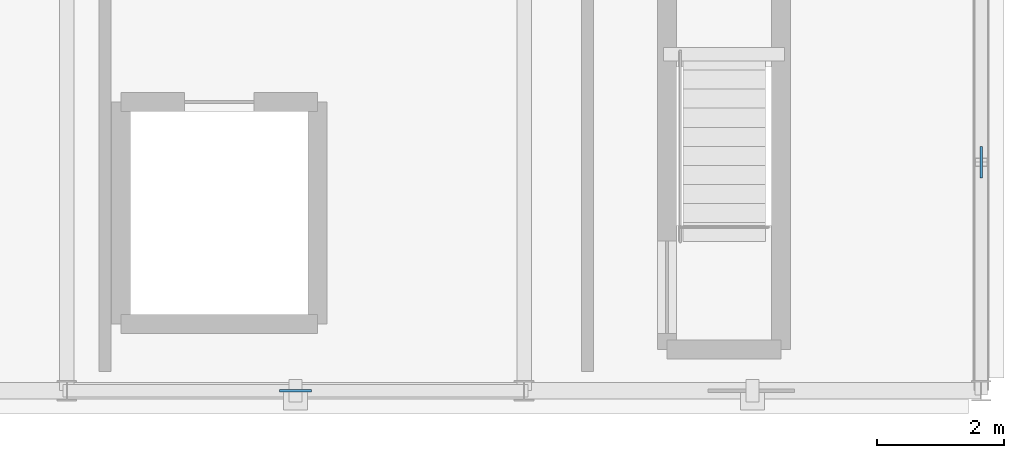
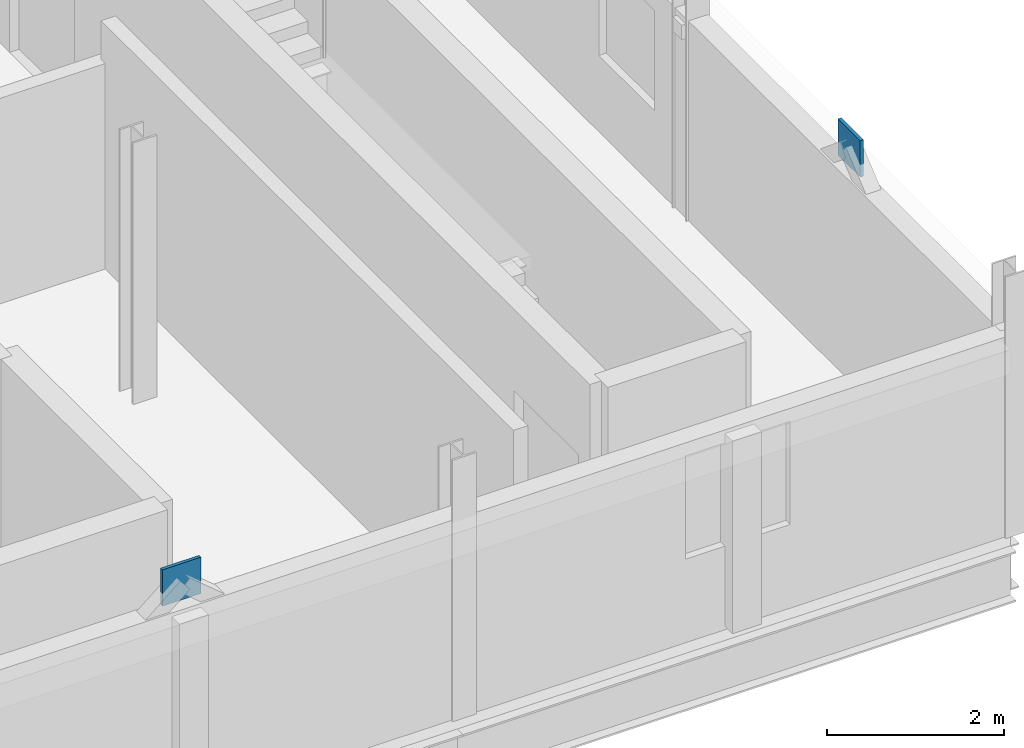
# One storey, part 56 of 96: 2 plates.
"""IFC4 building model written with IfcOpenShell, lengths in metres."""

from ifc_helpers import new_model, si_unit, direction, frame, origin, origin_2d, place, context, subcontext, project, spatial, rectangle, extrude, material, layer, layer_set, type_object, element, save


model = new_model("IFC4")

# Units and contexts
model_context = context("Model", 3, precision=1e-05, world=origin(), true_north=direction((0.0, 1.0)))
body_context = subcontext(model_context, "Body", "Model", "MODEL_VIEW")
ifc_project = project(units=[si_unit("LENGTHUNIT", "METRE"), si_unit("AREAUNIT", "SQUARE_METRE"), si_unit("VOLUMEUNIT", "CUBIC_METRE"), si_unit("PLANEANGLEUNIT", "RADIAN"), si_unit("MASSUNIT", "GRAM", prefix="KILO")], contexts=[model_context])

# Site, building, storey
site_placement = place(None, origin())
site = spatial("IfcSite", under=ifc_project, at=site_placement, CompositionType="ELEMENT")
building_placement = place(site_placement, origin())
building = spatial("IfcBuilding", under=site, at=building_placement, Name="Yarey Park Central Fire Station", CompositionType="ELEMENT")
storey_placement = place(building_placement, frame((0.0, 0.0, 14.39990234375)))
storey = spatial("IfcBuildingStorey", under=building, at=storey_placement, Name="L04", CompositionType="ELEMENT", Elevation=14.39990234375)

# Plates
ifc_material = material(Name="Steel ASTM A572 Gr. 50", Category="steel")
ifc_layer = layer(ifc_material, 0.0419921875)
ifc_layer_set = layer_set([ifc_layer], Name="Steel ASTM A572 Gr. 50")
plate_type = type_object("IfcPlateType", Name="STR_PLT_NODE2", PredefinedType="USERDEFINED", material=ifc_layer_set)
plate_1_placement = place(storey_placement, frame((165.60009765625, 3.60009765625, 2.800048828125), z_axis=(0.0, 0.0, 1.0), x_axis=(1.0, 0.0, 0.0)))
element("IfcPlate", 1, at=plate_1_placement, inside=storey, type_object=plate_type, Name="NODE_PLT_DT_L04_1", ObjectType="GUSSET_PLATE", PredefinedType="USERDEFINED", context=body_context, shape_type="SweptSolid", body=[
    extrude(rectangle(XDim=0.0419921875, YDim=0.5, at=origin_2d()), origin(), (0.0, 0.0, 1.0), 0.5),
])
plate_2_placement = place(storey_placement, frame((154.800048828125, 0.0, 2.800048828125), z_axis=(0.0, 0.0, 1.0), x_axis=(1.0, 0.0, 0.0)))
element("IfcPlate", 2, at=plate_2_placement, inside=storey, type_object=plate_type, Name="NODE_PLT_DT_L04_2", ObjectType="GUSSET_PLATE", PredefinedType="USERDEFINED", context=body_context, shape_type="SweptSolid", body=[
    extrude(rectangle(XDim=0.5, YDim=0.0419921875, at=origin_2d()), origin(), (0.0, 0.0, 1.0), 0.5),
])

save(model, "model.ifc")
